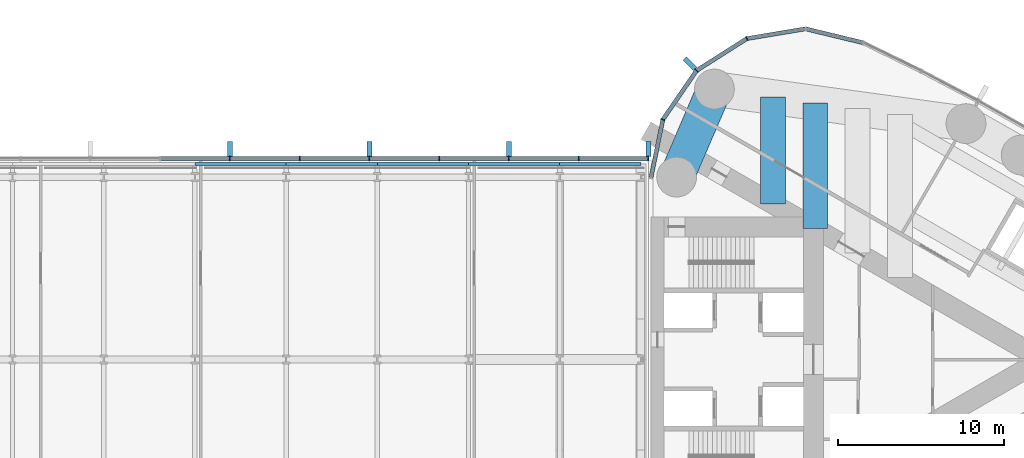
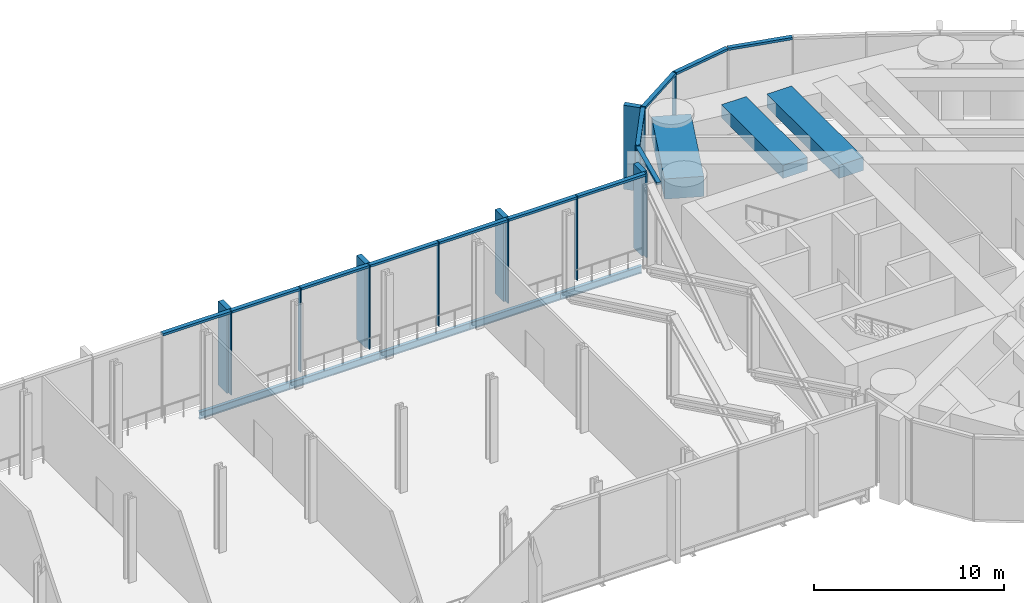
# One storey, part 11 of 21: 27 members, 8 beams, 2 elements without a shape of their own.
"""IFC4 building model written with IfcOpenShell, lengths in metres."""

from ifc_helpers import new_model, si_unit, direction, frame, origin, origin_2d, place, context, subcontext, project, spatial, rectangle, i_section, extrude, material, material_profile, profile_set, type_object, element, aggregate, save


model = new_model("IFC4")

# Units and contexts
model_context = context("Model", 3, precision=1e-05, world=origin(), true_north=direction((0.0, 1.0)))
body_context = subcontext(model_context, "Body", "Model", "MODEL_VIEW")
ifc_project = project(units=[si_unit("LENGTHUNIT", "METRE"), si_unit("AREAUNIT", "SQUARE_METRE"), si_unit("VOLUMEUNIT", "CUBIC_METRE"), si_unit("PLANEANGLEUNIT", "RADIAN"), si_unit("MASSUNIT", "GRAM", prefix="KILO")], contexts=[model_context])

# Site, building, storey
site_placement = place(None, origin())
site = spatial("IfcSite", under=ifc_project, at=site_placement, CompositionType="ELEMENT")
building_placement = place(site_placement, origin())
building = spatial("IfcBuilding", under=site, at=building_placement, Name="Lancet Gate Hotel", CompositionType="ELEMENT")
storey_placement = place(building_placement, frame((0.0, 0.0, 251.89990234375)))
storey = spatial("IfcBuildingStorey", under=building, at=storey_placement, Name="L67", CompositionType="ELEMENT", Elevation=251.89990234375)

# Curtain wall, members
ifc_material_1 = material(Name="Aluminium curtain wall", Category="aluminium")
curtain_wall_type = type_object("IfcCurtainWallType", Name="Sky deck full-height glazing", PredefinedType="USERDEFINED", material=ifc_material_1)
curtain_wall_1_placement = place(storey_placement, origin())
curtain_wall_1 = element("IfcCurtainWall", 1, at=curtain_wall_1_placement, inside=storey, type_object=curtain_wall_type, Name="T2 L67 curtain wall 1", ObjectType="UNITISED CURTAIN WALL", PredefinedType="USERDEFINED")
ifc_material_2 = material(Name="Aluminium mullion", Category="aluminium")
ifc_material_profile_1 = material_profile(ifc_material_2, rectangle(XDim=0.06494140625, YDim=0.25, at=origin_2d()), Name="MULLION 65x250")
ifc_profile_set_1 = profile_set([ifc_material_profile_1], Name="Aluminium mullion")
member_type_1 = type_object("IfcMemberType", Name="Aluminium mullion 65x250", PredefinedType="MULLION", material=ifc_profile_set_1)
member_1_placement = place(storey_placement, frame((33.283203125, 19.353515625, 0.0), z_axis=(0.0, 0.0, 1.0), x_axis=(-0.93394321776, -0.357421412343, 0.0)))
member_1 = element("IfcMember", 2, at=member_1_placement, type_object=member_type_1, Name="T2 L67 curtain wall 1 mullion 24", PredefinedType="MULLION", context=body_context, shape_type="SweptSolid", body=[
    extrude(rectangle(XDim=0.06494140625, YDim=0.25, at=origin_2d()), origin(), (0.0, 0.0, 1.0), 5.400146484375),
])
member_2_placement = place(storey_placement, frame((30.25244140625, 17.42626953125, 0.0), z_axis=(0.0, 0.0, 1.0), x_axis=(-0.719809077627, -0.694172090886, 0.0)))
member_2 = element("IfcMember", 3, at=member_2_placement, type_object=member_type_1, Name="T2 L67 curtain wall 1 mullion 25", PredefinedType="MULLION", context=body_context, shape_type="SweptSolid", body=[
    extrude(rectangle(XDim=0.06494140625, YDim=0.25, at=origin_2d()), origin(), (0.0, 0.0, 1.0), 5.400146484375),
])
member_3_placement = place(storey_placement, frame((28.216552734375, 14.467529296875, 0.0), z_axis=(0.0, 0.0, 1.0), x_axis=(-0.391042139098, -0.920372775265, 0.0)))
member_3 = element("IfcMember", 4, at=member_3_placement, type_object=member_type_1, Name="T2 L67 curtain wall 1 mullion 26", PredefinedType="MULLION", context=body_context, shape_type="SweptSolid", body=[
    extrude(rectangle(XDim=0.06494140625, YDim=0.25, at=origin_2d()), origin(), (0.0, 0.0, 1.0), 5.400146484375),
])

curtain_wall_2_placement = place(storey_placement, origin())
curtain_wall_2 = element("IfcCurtainWall", 5, at=curtain_wall_2_placement, inside=storey, type_object=curtain_wall_type, Name="Bridge block L67 curtain wall N", ObjectType="UNITISED CURTAIN WALL", PredefinedType="USERDEFINED")
member_4_placement = place(storey_placement, frame((27.35009765625, 12.1201171875, 0.0), z_axis=(0.0, 0.0, 1.0), x_axis=(-1.0, 0.0, 0.0)))
member_4 = element("IfcMember", 6, at=member_4_placement, type_object=member_type_1, Name="Bridge block L67 curtain wall N mullion 1", PredefinedType="MULLION", context=body_context, shape_type="SweptSolid", body=[
    extrude(rectangle(XDim=0.06494140625, YDim=0.25, at=origin_2d()), origin(), (0.0, 0.0, 1.0), 5.400146484375),
])
member_5_placement = place(storey_placement, frame((23.142333984375, 12.1201171875, 0.0), z_axis=(0.0, 0.0, 1.0), x_axis=(-1.0, 0.0, 0.0)))
member_5 = element("IfcMember", 7, at=member_5_placement, type_object=member_type_1, Name="Bridge block L67 curtain wall N mullion 2", PredefinedType="MULLION", context=body_context, shape_type="SweptSolid", body=[
    extrude(rectangle(XDim=0.06494140625, YDim=0.25, at=origin_2d()), origin(), (0.0, 0.0, 1.0), 5.400146484375),
])
member_6_placement = place(storey_placement, frame((18.9345703125, 12.1201171875, 0.0), z_axis=(0.0, 0.0, 1.0), x_axis=(-1.0, 0.0, 0.0)))
member_6 = element("IfcMember", 8, at=member_6_placement, type_object=member_type_1, Name="Bridge block L67 curtain wall N mullion 3", PredefinedType="MULLION", context=body_context, shape_type="SweptSolid", body=[
    extrude(rectangle(XDim=0.06494140625, YDim=0.25, at=origin_2d()), origin(), (0.0, 0.0, 1.0), 5.400146484375),
])
member_7_placement = place(storey_placement, frame((14.726806640625, 12.1201171875, 0.0), z_axis=(0.0, 0.0, 1.0), x_axis=(-1.0, 0.0, 0.0)))
member_7 = element("IfcMember", 9, at=member_7_placement, type_object=member_type_1, Name="Bridge block L67 curtain wall N mullion 4", PredefinedType="MULLION", context=body_context, shape_type="SweptSolid", body=[
    extrude(rectangle(XDim=0.06494140625, YDim=0.25, at=origin_2d()), origin(), (0.0, 0.0, 1.0), 5.400146484375),
])
member_8_placement = place(storey_placement, frame((10.519287109375, 12.1201171875, 0.0), z_axis=(0.0, 0.0, 1.0), x_axis=(-1.0, 0.0, 0.0)))
member_8 = element("IfcMember", 10, at=member_8_placement, type_object=member_type_1, Name="Bridge block L67 curtain wall N mullion 5", PredefinedType="MULLION", context=body_context, shape_type="SweptSolid", body=[
    extrude(rectangle(XDim=0.06494140625, YDim=0.25, at=origin_2d()), origin(), (0.0, 0.0, 1.0), 5.400146484375),
])
member_9_placement = place(storey_placement, frame((6.3115234375, 12.1201171875, 0.0), z_axis=(0.0, 0.0, 1.0), x_axis=(-1.0, 0.0, 0.0)))
member_9 = element("IfcMember", 11, at=member_9_placement, type_object=member_type_1, Name="Bridge block L67 curtain wall N mullion 6", PredefinedType="MULLION", context=body_context, shape_type="SweptSolid", body=[
    extrude(rectangle(XDim=0.06494140625, YDim=0.25, at=origin_2d()), origin(), (0.0, 0.0, 1.0), 5.400146484375),
])
member_10_placement = place(storey_placement, frame((2.103759765625, 12.1201171875, 0.0), z_axis=(0.0, 0.0, 1.0), x_axis=(-1.0, 0.0, 0.0)))
member_10 = element("IfcMember", 12, at=member_10_placement, type_object=member_type_1, Name="Bridge block L67 curtain wall N mullion 7", PredefinedType="MULLION", context=body_context, shape_type="SweptSolid", body=[
    extrude(rectangle(XDim=0.06494140625, YDim=0.25, at=origin_2d()), origin(), (0.0, 0.0, 1.0), 5.400146484375),
])

# Member
ifc_material_3 = material(Name="Aluminium transom", Category="aluminium")
ifc_material_profile_2 = material_profile(ifc_material_3, rectangle(XDim=0.25, YDim=0.14990234375, at=origin_2d()), Name="TRANSOM 250x150")
ifc_profile_set_2 = profile_set([ifc_material_profile_2], Name="Aluminium transom")
member_type_2 = type_object("IfcMemberType", Name="Aluminium transom 250x150", PredefinedType="USERDEFINED", material=ifc_profile_set_2)
member_11_placement = place(storey_placement, frame((40.28564453125, 19.10595703125, 5.3251953125), z_axis=(-0.972002653858, 0.234969872307, 0.0), x_axis=(-0.234969872307, -0.972002653858, 0.0)))
member_11 = element("IfcMember", 13, at=member_11_placement, type_object=member_type_2, Name="T2 L67 curtain wall 1 transom 22", ObjectType="TRANSOM", PredefinedType="USERDEFINED", context=body_context, shape_type="SweptSolid", body=[
    extrude(rectangle(XDim=0.25, YDim=0.14990234375, at=origin_2d()), origin(), (0.0, 0.0, 1.0), 3.5263671875),
])

member_12_placement = place(storey_placement, frame((36.794189453125, 19.936767578125, 5.3251953125), z_axis=(-0.986483584545, -0.163860115412, 0.0), x_axis=(0.163860115412, -0.986483584545, 0.0)))
member_12 = element("IfcMember", 14, at=member_12_placement, type_object=member_type_2, Name="T2 L67 curtain wall 1 transom 23", ObjectType="TRANSOM", PredefinedType="USERDEFINED", context=body_context, shape_type="SweptSolid", body=[
    extrude(rectangle(XDim=0.25, YDim=0.14990234375, at=origin_2d()), origin(), (0.0, 0.0, 1.0), 3.526611328125),
])

member_13_placement = place(storey_placement, frame((33.255859375, 19.336181640625, 5.3251953125), z_axis=(-0.84385811281, -0.536566384938, 0.0), x_axis=(0.536566384938, -0.84385811281, 0.0)))
member_13 = element("IfcMember", 15, at=member_13_placement, type_object=member_type_2, Name="T2 L67 curtain wall 1 transom 24", ObjectType="TRANSOM", PredefinedType="USERDEFINED", context=body_context, shape_type="SweptSolid", body=[
    extrude(rectangle(XDim=0.25, YDim=0.14990234375, at=origin_2d()), origin(), (0.0, 0.0, 1.0), 3.52685546875),
])

member_14_placement = place(storey_placement, frame((30.234130859375, 17.399658203125, 5.3251953125), z_axis=(-0.566813768052, -0.82384595183, 0.0), x_axis=(0.82384595183, -0.566813768052, 0.0)))
member_14 = element("IfcMember", 16, at=member_14_placement, type_object=member_type_2, Name="T2 L67 curtain wall 1 transom 25", ObjectType="TRANSOM", PredefinedType="USERDEFINED", context=body_context, shape_type="SweptSolid", body=[
    extrude(rectangle(XDim=0.25, YDim=0.14990234375, at=origin_2d()), origin(), (0.0, 0.0, 1.0), 3.52685546875),
])

member_15_placement = place(storey_placement, frame((28.210205078125, 14.435546875, 5.3251953125), z_axis=(-0.19952323725, -0.979893095086, 0.0), x_axis=(0.979893095086, -0.19952323725, 0.0)))
member_15 = element("IfcMember", 17, at=member_15_placement, type_object=member_type_2, Name="T2 L67 curtain wall 1 transom 26", ObjectType="TRANSOM", PredefinedType="USERDEFINED", context=body_context, shape_type="SweptSolid", body=[
    extrude(rectangle(XDim=0.25, YDim=0.14990234375, at=origin_2d()), origin(), (0.0, 0.0, 1.0), 3.5263671875),
])

member_16_placement = place(storey_placement, frame((27.3173828125, 12.1201171875, 5.3251953125), z_axis=(-1.0, 0.0, 0.0), x_axis=(0.0, -1.0, 0.0)))
member_16 = element("IfcMember", 18, at=member_16_placement, type_object=member_type_2, Name="Bridge block L67 curtain wall N transom 1", ObjectType="TRANSOM", PredefinedType="USERDEFINED", context=body_context, shape_type="SweptSolid", body=[
    extrude(rectangle(XDim=0.25, YDim=0.14990234375, at=origin_2d()), origin(), (0.0, 0.0, 1.0), 4.142578125),
])

member_17_placement = place(storey_placement, frame((23.10986328125, 12.1201171875, 5.3251953125), z_axis=(-1.0, 0.0, 0.0), x_axis=(0.0, -1.0, 0.0)))
member_17 = element("IfcMember", 19, at=member_17_placement, type_object=member_type_2, Name="Bridge block L67 curtain wall N transom 2", ObjectType="TRANSOM", PredefinedType="USERDEFINED", context=body_context, shape_type="SweptSolid", body=[
    extrude(rectangle(XDim=0.25, YDim=0.14990234375, at=origin_2d()), origin(), (0.0, 0.0, 1.0), 4.142822265625),
])

member_18_placement = place(storey_placement, frame((18.902099609375, 12.1201171875, 5.3251953125), z_axis=(-1.0, 0.0, 0.0), x_axis=(0.0, -1.0, 0.0)))
member_18 = element("IfcMember", 20, at=member_18_placement, type_object=member_type_2, Name="Bridge block L67 curtain wall N transom 3", ObjectType="TRANSOM", PredefinedType="USERDEFINED", context=body_context, shape_type="SweptSolid", body=[
    extrude(rectangle(XDim=0.25, YDim=0.14990234375, at=origin_2d()), origin(), (0.0, 0.0, 1.0), 4.142578125),
])

member_19_placement = place(storey_placement, frame((14.6943359375, 12.1201171875, 5.3251953125), z_axis=(-1.0, 0.0, 0.0), x_axis=(0.0, -1.0, 0.0)))
member_19 = element("IfcMember", 21, at=member_19_placement, type_object=member_type_2, Name="Bridge block L67 curtain wall N transom 4", ObjectType="TRANSOM", PredefinedType="USERDEFINED", context=body_context, shape_type="SweptSolid", body=[
    extrude(rectangle(XDim=0.25, YDim=0.14990234375, at=origin_2d()), origin(), (0.0, 0.0, 1.0), 4.142578125),
])

member_20_placement = place(storey_placement, frame((10.48681640625, 12.1201171875, 5.3251953125), z_axis=(-1.0, 0.0, 0.0), x_axis=(0.0, -1.0, 0.0)))
member_20 = element("IfcMember", 22, at=member_20_placement, type_object=member_type_2, Name="Bridge block L67 curtain wall N transom 5", ObjectType="TRANSOM", PredefinedType="USERDEFINED", context=body_context, shape_type="SweptSolid", body=[
    extrude(rectangle(XDim=0.25, YDim=0.14990234375, at=origin_2d()), origin(), (0.0, 0.0, 1.0), 4.142822265625),
])

member_21_placement = place(storey_placement, frame((6.279052734375, 12.1201171875, 5.3251953125), z_axis=(-1.0, 0.0, 0.0), x_axis=(0.0, -1.0, 0.0)))
member_21 = element("IfcMember", 23, at=member_21_placement, type_object=member_type_2, Name="Bridge block L67 curtain wall N transom 6", ObjectType="TRANSOM", PredefinedType="USERDEFINED", context=body_context, shape_type="SweptSolid", body=[
    extrude(rectangle(XDim=0.25, YDim=0.14990234375, at=origin_2d()), origin(), (0.0, 0.0, 1.0), 4.142822265625),
])

member_22_placement = place(storey_placement, frame((2.0712890625, 12.1201171875, 5.3251953125), z_axis=(-1.0, 0.0, 0.0), x_axis=(0.0, -1.0, 0.0)))
member_22 = element("IfcMember", 24, at=member_22_placement, type_object=member_type_2, Name="Bridge block L67 curtain wall N transom 7", ObjectType="TRANSOM", PredefinedType="USERDEFINED", context=body_context, shape_type="SweptSolid", body=[
    extrude(rectangle(XDim=0.25, YDim=0.14990234375, at=origin_2d()), origin(), (0.0, 0.0, 1.0), 4.142578125),
])

# Beams
ifc_material_4 = material(Name="Steel S355", Category="steel")
ifc_material_profile_3 = material_profile(ifc_material_4, i_section(OverallWidth=0.19140625, OverallDepth=0.4599609375, WebThickness=0.010009765625, FlangeThickness=0.01611328125, FilletRadius=0.01025390625, at=origin_2d()), Name="UKB 457x191x82")
ifc_profile_set_3 = profile_set([ifc_material_profile_3], Name="Steel S355")
beam_type_1 = type_object("IfcBeamType", Name="Block edge beam UKB 457x191x82", PredefinedType="SPANDREL", material=ifc_profile_set_3)
for number, where, z_axis, x_axis, name in (
    (25, (0.0, 11.800048828125, -0.429931640625), (1.0, 0.0, 0.0), (0.0, 1.0, 0.0), "Block edge beam N 5-6 L67"),
    (26, (5.5, 11.800048828125, -0.429931640625), (1.0, 0.0, 0.0), (0.0, 1.0, 0.0), "Block edge beam N 6-7 L67"),
    (27, (11.0, 11.800048828125, -0.429931640625), (1.0, 0.0, 0.0), (0.0, 1.0, 0.0), "Block edge beam N 7-8 L67"),
    (28, (16.5, 11.800048828125, -0.429931640625), (1.0, 0.0, 0.0), (0.0, 1.0, 0.0), "Block edge beam N 8-9 L67"),
):
    element("IfcBeam", number, at=place(storey_placement, frame(where, z_axis=z_axis, x_axis=x_axis)), inside=storey, type_object=beam_type_1, Name=name, PredefinedType="SPANDREL", context=body_context, shape_type="SweptSolid", body=[
        extrude(i_section(OverallWidth=0.19140625, OverallDepth=0.4599609375, WebThickness=0.010009765625, FlangeThickness=0.01611328125, FilletRadius=0.01025390625, at=origin_2d()), origin(), (0.0, 0.0, 1.0), 5.5),
    ])
beam_1_placement = place(storey_placement, frame((22.0, 11.800048828125, -0.429931640625), z_axis=(1.0, 0.0, 0.0), x_axis=(0.0, 1.0, 0.0)))
element("IfcBeam", 29, at=beam_1_placement, inside=storey, type_object=beam_type_1, Name="Block edge beam N 9-10 L67", PredefinedType="SPANDREL", context=body_context, shape_type="SweptSolid", body=[
    extrude(i_section(OverallWidth=0.19140625, OverallDepth=0.4599609375, WebThickness=0.010009765625, FlangeThickness=0.01611328125, FilletRadius=0.01025390625, at=origin_2d()), origin(), (0.0, 0.0, 1.0), 4.89990234375),
])
ifc_material_5 = material(Name="Concrete C50/60", Category="concrete")
ifc_material_profile_4 = material_profile(ifc_material_5, rectangle(XDim=2.10009765625, YDim=1.300048828125, at=origin_2d()), Name="RC 2100x1300")
ifc_profile_set_4 = profile_set([ifc_material_profile_4], Name="Concrete C50/60")
beam_type_2 = type_object("IfcBeamType", Name="Edge beam RC 2100x1300", PredefinedType="SPANDREL", material=ifc_profile_set_4)
beam_2_placement = place(storey_placement, frame((29.050048828125, 11.0, 4.5), z_axis=(0.394250694824, 0.91900293233, 0.0), x_axis=(-0.91900293233, 0.394250694824, 0.0)))
element("IfcBeam", 30, at=beam_2_placement, inside=storey, type_object=beam_type_2, Name="T2 edge beam EB1 L67", PredefinedType="SPANDREL", context=body_context, shape_type="SweptSolid", body=[
    extrude(rectangle(XDim=2.10009765625, YDim=1.300048828125, at=origin_2d()), origin(), (0.0, 0.0, 1.0), 5.77880859375),
])

# Member
ifc_material_6 = material(Name="Precast concrete C50/60", Category="concrete")
ifc_material_profile_5 = material_profile(ifc_material_6, rectangle(XDim=0.300048828125, YDim=0.89990234375, at=origin_2d()), Name="FIN 300x900")
ifc_profile_set_5 = profile_set([ifc_material_profile_5], Name="Precast concrete C50/60")
member_type_3 = type_object("IfcMemberType", Name="Exposed concrete fin 300x900", PredefinedType="USERDEFINED", material=ifc_profile_set_5)
member_23_placement = place(storey_placement, frame((29.853271484375, 17.84033203125, 0.0), z_axis=(0.0, 0.0, 1.0), x_axis=(-0.719809077627, -0.694172090886, 0.0)))
member_23 = element("IfcMember", 31, at=member_23_placement, type_object=member_type_3, Name="T2 L67 curtain wall 1 fin 25", ObjectType="FIN", PredefinedType="USERDEFINED", context=body_context, shape_type="SweptSolid", body=[
    extrude(rectangle(XDim=0.300048828125, YDim=0.89990234375, at=origin_2d()), origin(), (0.0, 0.0, 1.0), 5.400146484375),
])

aggregate(curtain_wall_1, [member_1, member_2, member_23, member_3, member_11, member_12, member_13, member_14, member_15])

member_24_placement = place(storey_placement, frame((27.35009765625, 12.695068359375, 0.0), z_axis=(0.0, 0.0, 1.0), x_axis=(-1.0, 0.0, 0.0)))
member_24 = element("IfcMember", 32, at=member_24_placement, type_object=member_type_3, Name="Bridge block L67 curtain wall N fin 1", ObjectType="FIN", PredefinedType="USERDEFINED", context=body_context, shape_type="SweptSolid", body=[
    extrude(rectangle(XDim=0.300048828125, YDim=0.89990234375, at=origin_2d()), origin(), (0.0, 0.0, 1.0), 5.400146484375),
])

member_25_placement = place(storey_placement, frame((18.9345703125, 12.695068359375, 0.0), z_axis=(0.0, 0.0, 1.0), x_axis=(-1.0, 0.0, 0.0)))
member_25 = element("IfcMember", 33, at=member_25_placement, type_object=member_type_3, Name="Bridge block L67 curtain wall N fin 3", ObjectType="FIN", PredefinedType="USERDEFINED", context=body_context, shape_type="SweptSolid", body=[
    extrude(rectangle(XDim=0.300048828125, YDim=0.89990234375, at=origin_2d()), origin(), (0.0, 0.0, 1.0), 5.400146484375),
])

member_26_placement = place(storey_placement, frame((10.519287109375, 12.695068359375, 0.0), z_axis=(0.0, 0.0, 1.0), x_axis=(-1.0, 0.0, 0.0)))
member_26 = element("IfcMember", 34, at=member_26_placement, type_object=member_type_3, Name="Bridge block L67 curtain wall N fin 5", ObjectType="FIN", PredefinedType="USERDEFINED", context=body_context, shape_type="SweptSolid", body=[
    extrude(rectangle(XDim=0.300048828125, YDim=0.89990234375, at=origin_2d()), origin(), (0.0, 0.0, 1.0), 5.400146484375),
])

member_27_placement = place(storey_placement, frame((2.103759765625, 12.695068359375, 0.0), z_axis=(0.0, 0.0, 1.0), x_axis=(-1.0, 0.0, 0.0)))
member_27 = element("IfcMember", 35, at=member_27_placement, type_object=member_type_3, Name="Bridge block L67 curtain wall N fin 7", ObjectType="FIN", PredefinedType="USERDEFINED", context=body_context, shape_type="SweptSolid", body=[
    extrude(rectangle(XDim=0.300048828125, YDim=0.89990234375, at=origin_2d()), origin(), (0.0, 0.0, 1.0), 5.400146484375),
])

aggregate(curtain_wall_2, [member_4, member_24, member_5, member_6, member_25, member_7, member_8, member_26, member_9, member_10, member_27, member_16, member_17, member_18, member_19, member_20, member_21, member_22])

# Beams
ifc_material_7 = material(Name="Concrete C50/60", Category="concrete")
ifc_material_profile_6 = material_profile(ifc_material_7, rectangle(XDim=1.5, YDim=0.85009765625, at=origin_2d()), Name="RC 1500x850")
ifc_profile_set_6 = profile_set([ifc_material_profile_6], Name="Concrete C50/60")
beam_type_3 = type_object("IfcBeamType", Name="Floor beam RC 1500x850", PredefinedType="BEAM", material=ifc_profile_set_6)
beam_3_placement = place(storey_placement, frame((34.859619140625, 9.377685546875, 4.72509765625), z_axis=(0.0, 1.0, 0.0), x_axis=(-1.0, 0.0, 0.0)))
element("IfcBeam", 36, at=beam_3_placement, inside=storey, type_object=beam_type_3, Name="T2 floor beam F02N L67", PredefinedType="BEAM", context=body_context, shape_type="SweptSolid", body=[
    extrude(rectangle(XDim=1.5, YDim=0.85009765625, at=origin_2d()), origin(), (0.0, 0.0, 1.0), 6.44775390625),
])
beam_4_placement = place(storey_placement, frame((37.412841796875, 7.903564453125, 4.72509765625), z_axis=(0.0, 1.0, 0.0), x_axis=(-1.0, 0.0, 0.0)))
element("IfcBeam", 37, at=beam_4_placement, inside=storey, type_object=beam_type_3, Name="T2 floor beam F04N L67", PredefinedType="BEAM", context=body_context, shape_type="SweptSolid", body=[
    extrude(rectangle(XDim=1.5, YDim=0.85009765625, at=origin_2d()), origin(), (0.0, 0.0, 1.0), 7.57080078125),
])

save(model, "model.ifc")
